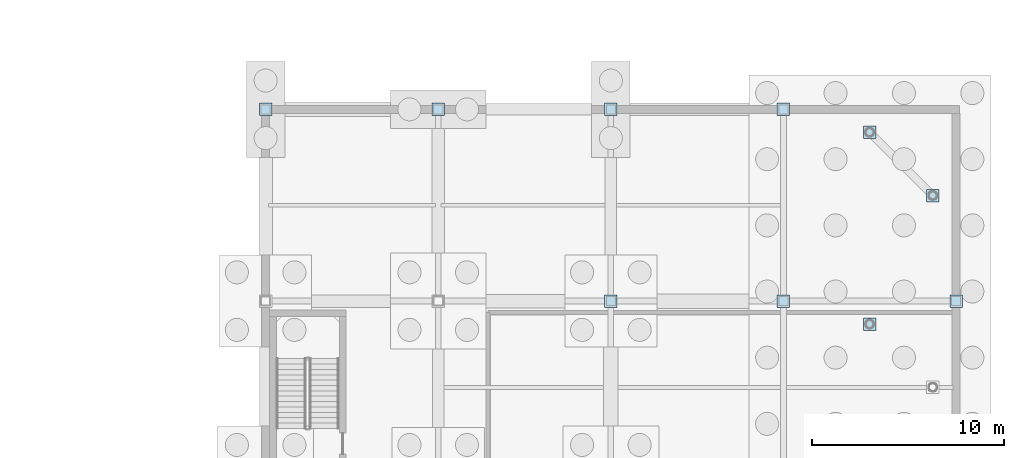
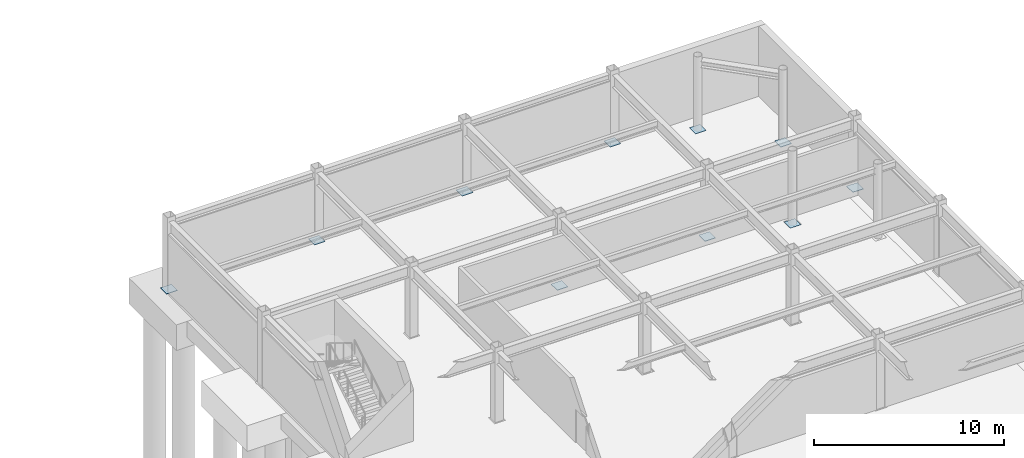
# One storey, part 51 of 74: 10 plates.
"""IFC4 building model written with IfcOpenShell, lengths in metres."""

import ifcopenshell
import ifcopenshell.guid

model = None  # the IFC model being written
_history = None  # IfcOwnerHistory: only IFC2X3 demands one
_inside = {}  # id of a spatial element -> (the spatial element, [elements in it])
_under = {}  # id of a project, library or spatial element -> (it, [spatial elements below it])
_declared = {}  # id of a project -> (the project, [libraries it declares])
_typed = {}  # id of a type object -> (the type object, [elements of that type])
_made_of = {}  # id of a material, layer set ... -> (it, [elements and type objects made of it])


def new_model(schema):
    """Start an empty IFC model of exactly this schema.

    Asked for "IFC4X3", IfcOpenShell would pick the latest addendum, in which some entities
    have other attributes; the version numbers below select the first issue.
    IFC2X3 requires an IfcOwnerHistory on every rooted entity: one is made here for all.
    """
    global model, _history
    if schema == "IFC4X3":
        model = ifcopenshell.file(schema_version=(4, 3, 0, 0))
    else:
        model = ifcopenshell.file(schema=schema)
    _inside.clear()
    _under.clear()
    _declared.clear()
    _typed.clear()
    _made_of.clear()
    _history = None
    if model.schema == "IFC2X3":
        org = make("IfcOrganization", Name="unknown")
        user = make(
            "IfcPersonAndOrganization",
            ThePerson=make("IfcPerson", FamilyName="unknown"),
            TheOrganization=org,
        )
        app = make(
            "IfcApplication",
            ApplicationDeveloper=org,
            Version="unknown",
            ApplicationFullName="unknown",
            ApplicationIdentifier="unknown",
        )
        _history = make(
            "IfcOwnerHistory",
            OwningUser=user,
            OwningApplication=app,
            ChangeAction="ADDED",
            CreationDate=0,
        )
    return model


def make(cls, **values):
    """One entity of the class cls with the attributes given. An attribute that is None is left unset."""
    return model.create_entity(
        cls, **{name: value for name, value in values.items() if value is not None}
    )


def rooted(cls, **values):
    """An entity with a GlobalId (a new one), such as an element, a storey or a relation."""
    return make(cls, GlobalId=ifcopenshell.guid.new(), OwnerHistory=_history, **values)


def si_unit(unit_type, name, prefix=None):
    """IfcSIUnit, for example si_unit("LENGTHUNIT", "METRE", prefix="MILLI")."""
    return make("IfcSIUnit", UnitType=unit_type, Prefix=prefix, Name=name)


def assignment(units):
    """IfcUnitAssignment: the units of a project."""
    return None if units is None else make("IfcUnitAssignment", Units=units)


def point(xyz):
    """IfcCartesianPoint."""
    return None if xyz is None else make("IfcCartesianPoint", Coordinates=xyz)


def direction(xyz):
    """IfcDirection."""
    return None if xyz is None else make("IfcDirection", DirectionRatios=xyz)


def frame(location, z_axis=None, x_axis=None):
    """IfcAxis2Placement3D, a coordinate frame: its origin and axes. An axis left out is left unset."""
    return make(
        "IfcAxis2Placement3D",
        Location=point(location),
        Axis=direction(z_axis),
        RefDirection=direction(x_axis),
    )


def frame_2d(location, x_axis=None):
    """IfcAxis2Placement2D, a coordinate frame in the plane: its origin and x axis."""
    return make(
        "IfcAxis2Placement2D", Location=point(location), RefDirection=direction(x_axis)
    )


def origin():
    """The frame at (0, 0, 0) with its axes left unset."""
    return frame((0.0, 0.0, 0.0))


def origin_2d():
    """The frame at (0, 0) in the plane with its x axis left unset."""
    return frame_2d((0.0, 0.0))


def place(relative_to, where):
    """IfcLocalPlacement: puts the frame where relative to a parent placement (None: the world)."""
    return make(
        "IfcLocalPlacement", PlacementRelTo=relative_to, RelativePlacement=where
    )


def context(
    kind, dimensions, precision=None, world=None, true_north=None, identifier=None
):
    """IfcGeometricRepresentationContext, for example the 3D "Model" context."""
    return make(
        "IfcGeometricRepresentationContext",
        ContextIdentifier=identifier,
        ContextType=kind,
        CoordinateSpaceDimension=dimensions,
        Precision=precision,
        WorldCoordinateSystem=world,
        TrueNorth=true_north,
    )


def subcontext(parent, identifier, kind, view, scale=None):
    """IfcGeometricRepresentationSubContext, for example "Body" below "Model"."""
    return make(
        "IfcGeometricRepresentationSubContext",
        ContextIdentifier=identifier,
        ContextType=kind,
        ParentContext=parent,
        TargetScale=scale,
        TargetView=view,
    )


def project(units=None, contexts=None):
    """IfcProject with its units and contexts."""
    return rooted(
        "IfcProject",
        Name="project",
        RepresentationContexts=contexts,
        UnitsInContext=assignment(units),
    )


def spatial(cls, under=None, at=None, **own):
    """A site, building, storey or space (cls), placed at a placement, below another one or the project."""
    s = rooted(cls, ObjectPlacement=at, **own)
    if under is not None:
        _under.setdefault(under.id(), (under, []))[1].append(s)
    return s


def profile(cls, at=None, kind="AREA", **sizes):
    """A parametric profile (cls). Its sizes go by their IFC names, for example OverallWidth=200.0."""
    return make(cls, ProfileType=kind, Position=at, **sizes)


def rectangle(**sizes):
    """IfcRectangleProfileDef."""
    return profile("IfcRectangleProfileDef", **sizes)


def extrude(swept, where, along, depth):
    """IfcExtrudedAreaSolid: the profile swept, set in the frame where, extruded along a direction by depth."""
    return make(
        "IfcExtrudedAreaSolid",
        SweptArea=swept,
        Position=where,
        ExtrudedDirection=direction(along),
        Depth=depth,
    )


def shape(context_of_items, identifier, shape_type, items):
    """IfcShapeRepresentation: the items that make up one representation, for example the "Body"."""
    return make(
        "IfcShapeRepresentation",
        ContextOfItems=context_of_items,
        RepresentationIdentifier=identifier,
        RepresentationType=shape_type,
        Items=items,
    )


def material(Name=None, Category=None):
    """IfcMaterial."""
    return make("IfcMaterial", Name=Name, Category=Category)


def layer(
    of_material, thickness, ventilated=None, Name=None, Category=None, Priority=None
):
    """IfcMaterialLayer: one layer of a wall or slab, of a material (None: an air gap)."""
    return make(
        "IfcMaterialLayer",
        Material=of_material,
        LayerThickness=thickness,
        IsVentilated=ventilated,
        Name=Name,
        Category=Category,
        Priority=Priority,
    )


def layer_set(layers, Name=None):
    """IfcMaterialLayerSet."""
    return make("IfcMaterialLayerSet", MaterialLayers=layers, LayerSetName=Name)


def made_of(thing, what):
    """Note that an element or type object is made of a material, layer set ...; save() writes the relation."""
    if what is not None:
        _made_of.setdefault(what.id(), (what, []))[1].append(thing)
    return thing


def type_object(cls, material=None, **own):
    """A type object (cls), such as IfcWallType, which elements share."""
    return made_of(rooted(cls, **own), material)


def element(
    cls,
    number,
    at=None,
    inside=None,
    cuts=None,
    type_object=None,
    material=None,
    context=None,
    identifier="Body",
    shape_type=None,
    held_by="IfcProductDefinitionShape",
    body=None,
    shapes=None,
    **own,
):
    """One element of the class cls, such as IfcWall. Its Tag is "e" and its number.

    at: its placement. inside: the storey or other place that contains it. cuts: it is an
    opening in that element (IfcRelVoidsElement). A single representation is given by context,
    identifier, shape_type and body (its items); several are given by shapes. held_by: the class
    of the entity that holds the representations. save() writes the other relations.
    """
    e = rooted(cls, Tag="e%d" % number, ObjectPlacement=at, **own)
    if body is not None:
        shapes = [shape(context, identifier, shape_type, body)]
    if shapes is not None:
        e.Representation = make(held_by, Representations=shapes)
    if inside is not None:
        _inside.setdefault(inside.id(), (inside, []))[1].append(e)
    if cuts is not None:
        rooted(
            "IfcRelVoidsElement", RelatingBuildingElement=cuts, RelatedOpeningElement=e
        )
    if type_object is not None:
        _typed.setdefault(type_object.id(), (type_object, []))[1].append(e)
    return made_of(e, material)


def aggregate(whole, parts):
    """IfcRelAggregates: a whole, such as a stair, and the parts it consists of."""
    return rooted("IfcRelAggregates", RelatingObject=whole, RelatedObjects=parts)


def save(model, path):
    """Write the relations noted so far, then the file.

    IfcRelAggregates (storeys below a building ...), IfcRelContainedInSpatialStructure (elements
    in a storey), IfcRelDefinesByType, IfcRelAssociatesMaterial and IfcRelDeclares: one each for
    every whole, place, type object, material and project.
    """
    for whole, parts in _under.values():
        aggregate(whole, parts)
    for where, things in _inside.values():
        rooted(
            "IfcRelContainedInSpatialStructure",
            RelatedElements=things,
            RelatingStructure=where,
        )
    for kind, things in _typed.values():
        rooted("IfcRelDefinesByType", RelatedObjects=things, RelatingType=kind)
    for what, things in _made_of.values():
        rooted("IfcRelAssociatesMaterial", RelatedObjects=things, RelatingMaterial=what)
    for by, libraries in _declared.values():
        rooted("IfcRelDeclares", RelatingContext=by, RelatedDefinitions=libraries)
    model.write(path)


model = new_model("IFC4")

# Units and contexts
model_context = context("Model", 3, precision=1e-05, world=origin(), true_north=direction((0.0, 1.0)))
body_context = subcontext(model_context, "Body", "Model", "MODEL_VIEW")
ifc_project = project(units=[si_unit("LENGTHUNIT", "METRE"), si_unit("AREAUNIT", "SQUARE_METRE"), si_unit("VOLUMEUNIT", "CUBIC_METRE"), si_unit("PLANEANGLEUNIT", "RADIAN"), si_unit("MASSUNIT", "GRAM", prefix="KILO")], contexts=[model_context])

# Site, building, storey
site_placement = place(None, origin())
site = spatial("IfcSite", under=ifc_project, at=site_placement, CompositionType="ELEMENT")
building_placement = place(site_placement, origin())
building = spatial("IfcBuilding", under=site, at=building_placement, Name="Suzunagisa Mobility Hub", CompositionType="ELEMENT")
storey_placement = place(building_placement, frame((0.0, 0.0, -4.800048828125)))
storey = spatial("IfcBuildingStorey", under=building, at=storey_placement, Name="B1", CompositionType="ELEMENT", Elevation=-4.800048828125)

# Plates
ifc_material = material(Name="Steel SN490B", Category="steel")
ifc_layer = layer(ifc_material, 0.031982421875)
ifc_layer_set = layer_set([ifc_layer], Name="Steel SN490B")
plate_type = type_object("IfcPlateType", Name="Structural Steel Plate SP-05 650x650x32", PredefinedType="USERDEFINED", material=ifc_layer_set)
for number, where, z_axis, x_axis, name in (
    (1, (144.0, 108.0, -0.03173828125), (0.0, 0.0, 1.0), (1.0, 0.0, 0.0), "Column Base Plate BP-263"),
    (2, (153.0, 108.0, -0.03173828125), (0.0, 0.0, 1.0), (1.0, 0.0, 0.0), "Column Base Plate BP-276"),
    (3, (162.0, 98.0, -0.03173828125), (0.0, 0.0, 1.0), (1.0, 0.0, 0.0), "Column Base Plate BP-294"),
    (4, (162.0, 108.0, -0.03173828125), (0.0, 0.0, 1.0), (1.0, 0.0, 0.0), "Column Base Plate BP-295"),
    (5, (171.0, 98.0, -0.03173828125), (0.0, 0.0, 1.0), (1.0, 0.0, 0.0), "Column Base Plate BP-307"),
    (6, (171.0, 108.0, -0.03173828125), (0.0, 0.0, 1.0), (1.0, 0.0, 0.0), "Column Base Plate BP-308"),
    (7, (175.5, 96.794189453125, -0.03173828125), (0.0, 0.0, 1.0), (1.0, 0.0, 0.0), "Column Base Plate BP-313"),
    (8, (175.5, 106.794189453125, -0.03173828125), (0.0, 0.0, 1.0), (1.0, 0.0, 0.0), "Column Base Plate BP-314"),
    (9, (178.794189453125, 103.5, -0.03173828125), (0.0, 0.0, 1.0), (1.0, 0.0, 0.0), "Column Base Plate BP-320"),
    (10, (180.0, 98.0, -0.03173828125), (0.0, 0.0, 1.0), (1.0, 0.0, 0.0), "Column Base Plate BP-331"),
):
    element("IfcPlate", number, at=place(storey_placement, frame(where, z_axis=z_axis, x_axis=x_axis)), inside=storey, type_object=plate_type, Name=name, ObjectType="BASE PLATE", PredefinedType="USERDEFINED", context=body_context, shape_type="SweptSolid", body=[
        extrude(rectangle(XDim=0.64990234375, YDim=0.64990234375, at=origin_2d()), origin(), (0.0, 0.0, 1.0), 0.031982421875),
    ])

save(model, "model.ifc")
